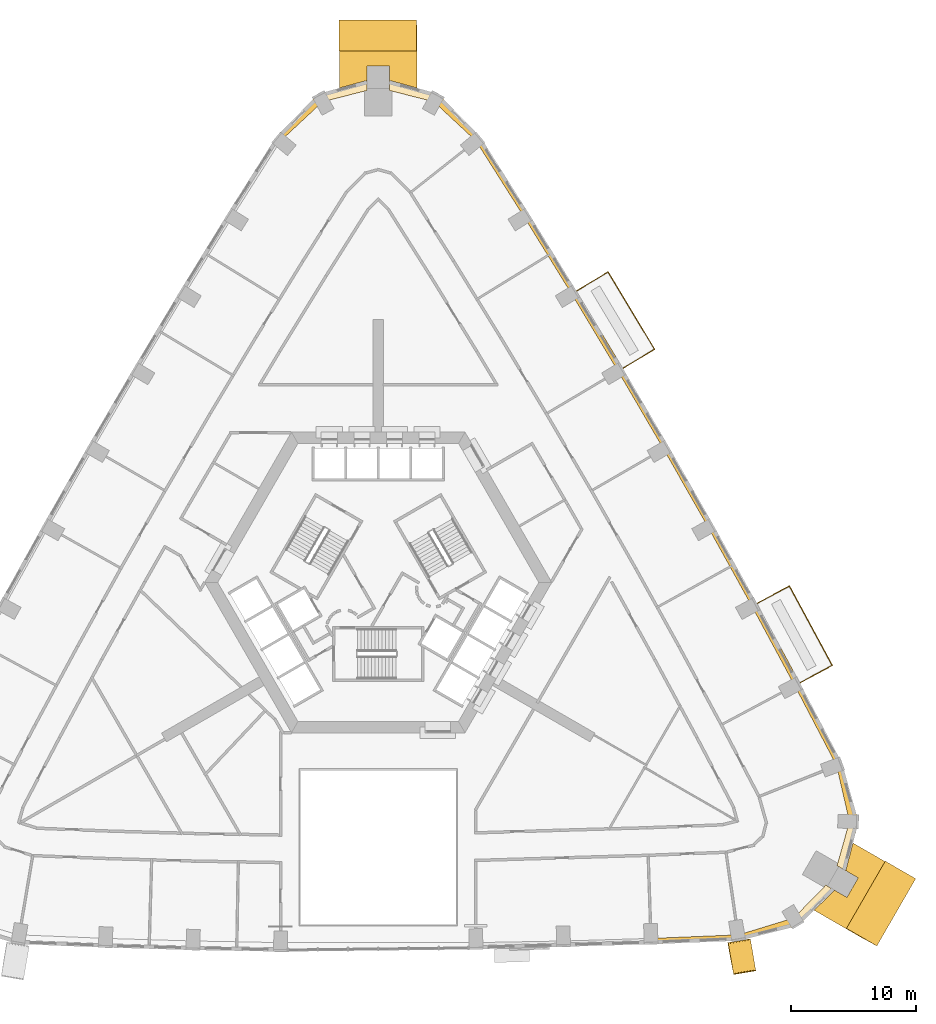
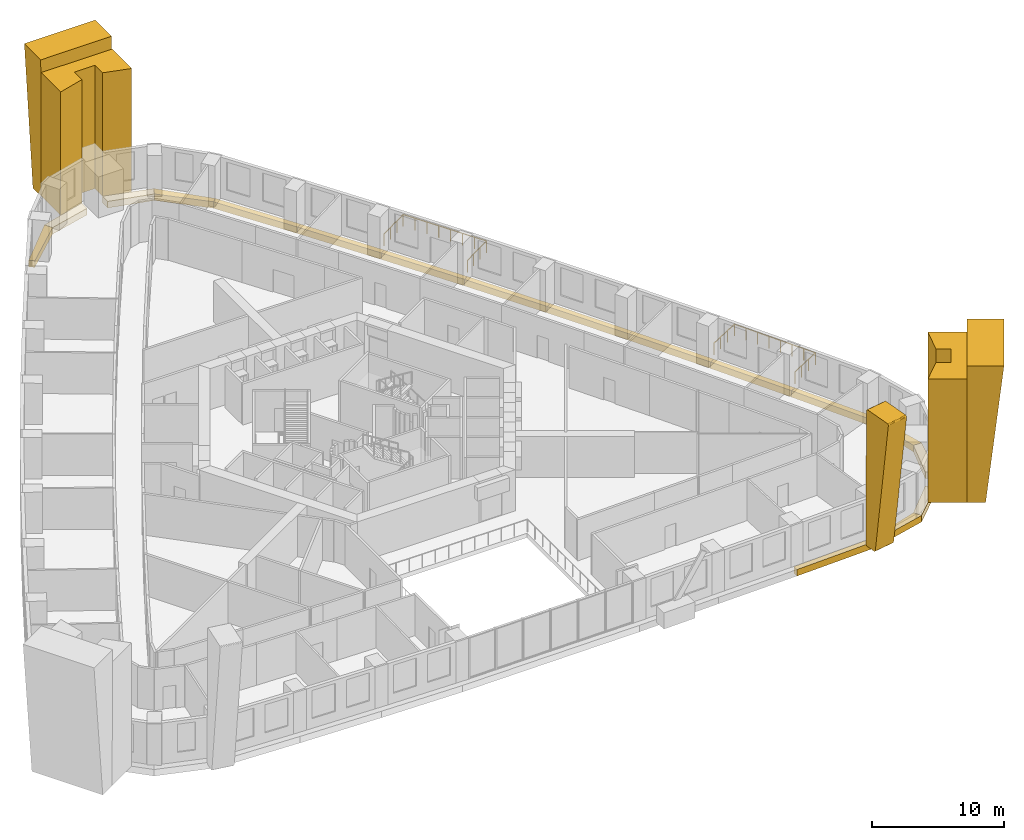
# One storey, part 15 of 15: 22 coverings, 2 railings.
"""IFC4 building model written with IfcOpenShell, lengths in metres."""

from ifc_helpers import new_model, si_unit, direction, frame, origin, origin_2d, place, context, subcontext, project, spatial, polyline, circle, outline, extrude, material, type_object, element, save


model = new_model("IFC4")

# Units and contexts
model_context = context("Model", 3, precision=1e-05, world=origin(), true_north=direction((0.0, 1.0)))
body_context = subcontext(model_context, "Body", "Model", "MODEL_VIEW")
ifc_project = project(units=[si_unit("LENGTHUNIT", "METRE"), si_unit("AREAUNIT", "SQUARE_METRE"), si_unit("VOLUMEUNIT", "CUBIC_METRE"), si_unit("PLANEANGLEUNIT", "RADIAN"), si_unit("MASSUNIT", "GRAM", prefix="KILO")], contexts=[model_context])

# Site, building, storey
site_placement = place(None, origin())
site = spatial("IfcSite", under=ifc_project, at=site_placement, CompositionType="ELEMENT")
building_placement = place(site_placement, origin())
building = spatial("IfcBuilding", under=site, at=building_placement, Name="Entoto Arch Interchange Tower", CompositionType="ELEMENT")
storey_placement = place(building_placement, frame((0.0, 0.0, 99.199951171875)))
storey = spatial("IfcBuildingStorey", under=building, at=storey_placement, Name="L21", CompositionType="ELEMENT", Elevation=99.199951171875)

# Railings
ifc_material_1 = material(Name="Stainless steel 1.4301", Category="steel")
railing_type = type_object("IfcRailingType", Name="GUARD 1100 STEEL AND GLASS", PredefinedType="GUARDRAIL", material=ifc_material_1)
railing_1_placement = place(storey_placement, frame((33.653076171875, -5.52099609375, 0.0)))
element("IfcRailing", 1, at=railing_1_placement, inside=storey, type_object=railing_type, Name="Balcony guard NE-02 L21", PredefinedType="GUARDRAIL", context=body_context, shape_type="SweptSolid", body=[
    extrude(circle(Radius=0.02392578125, at=origin_2d()), frame((0.0, 0.0, 1.076171875), z_axis=(0.879789787362, 0.475362945604, 0.0), x_axis=(-0.475362945604, 0.879789787362, 0.0)), (0.0, 0.0, 1.0), 2.949462890625),
    extrude(circle(Radius=0.02392578125, at=origin_2d()), frame((2.594970703125, 1.402099609375, 1.076171875), z_axis=(-0.475427012758, 0.879755167953, 0.0), x_axis=(-0.879755167953, -0.475427012758, 0.0)), (0.0, 0.0, 1.0), 7.2041015625),
    extrude(circle(Radius=0.02392578125, at=origin_2d()), frame((-0.830078125, 7.739990234375, 1.076171875), z_axis=(-0.879789787362, -0.475362945604, 0.0), x_axis=(0.475362945604, -0.879789787362, 0.0)), (0.0, 0.0, 1.0), 2.949462890625),
    extrude(circle(Radius=0.02099609375, at=origin_2d()), origin(), (0.0, 0.0, 1.0), 1.052001953125),
    extrude(circle(Radius=0.02099609375, at=origin_2d()), frame((0.864990234375, 0.46728515625, 0.0)), (0.0, 0.0, 1.0), 1.052001953125),
    extrude(circle(Radius=0.02099609375, at=origin_2d()), frame((1.72998046875, 0.934814453125, 0.0)), (0.0, 0.0, 1.0), 1.052001953125),
    extrude(circle(Radius=0.02099609375, at=origin_2d()), frame((2.594970703125, 1.402099609375, 0.0)), (0.0, 0.0, 1.0), 1.052001953125),
    extrude(circle(Radius=0.02099609375, at=origin_2d()), frame((2.105712890625, 2.3076171875, 0.0)), (0.0, 0.0, 1.0), 1.052001953125),
    extrude(circle(Radius=0.02099609375, at=origin_2d()), frame((1.616455078125, 3.212890625, 0.0)), (0.0, 0.0, 1.0), 1.052001953125),
    extrude(circle(Radius=0.02099609375, at=origin_2d()), frame((1.127197265625, 4.118408203125, 0.0)), (0.0, 0.0, 1.0), 1.052001953125),
    extrude(circle(Radius=0.02099609375, at=origin_2d()), frame((0.6376953125, 5.023681640625, 0.0)), (0.0, 0.0, 1.0), 1.052001953125),
    extrude(circle(Radius=0.02099609375, at=origin_2d()), frame((0.1484375, 5.92919921875, 0.0)), (0.0, 0.0, 1.0), 1.052001953125),
    extrude(circle(Radius=0.02099609375, at=origin_2d()), frame((-0.3408203125, 6.83447265625, 0.0)), (0.0, 0.0, 1.0), 1.052001953125),
    extrude(circle(Radius=0.02099609375, at=origin_2d()), frame((-0.830078125, 7.739990234375, 0.0)), (0.0, 0.0, 1.0), 1.052001953125),
    extrude(circle(Radius=0.02099609375, at=origin_2d()), frame((-1.695068359375, 7.272705078125, 0.0)), (0.0, 0.0, 1.0), 1.052001953125),
    extrude(circle(Radius=0.02099609375, at=origin_2d()), frame((-2.56005859375, 6.80517578125, 0.0)), (0.0, 0.0, 1.0), 1.052001953125),
    extrude(circle(Radius=0.02099609375, at=origin_2d()), frame((-3.425048828125, 6.337890625, 0.0)), (0.0, 0.0, 1.0), 1.052001953125),
])
railing_2_placement = place(storey_placement, frame((19.529052734375, 19.593017578125, 0.0)))
element("IfcRailing", 2, at=railing_2_placement, inside=storey, type_object=railing_type, Name="Balcony guard NE-06 L21", PredefinedType="GUARDRAIL", context=body_context, shape_type="SweptSolid", body=[
    extrude(circle(Radius=0.02392578125, at=origin_2d()), frame((0.0, 0.0, 1.076171875), z_axis=(0.857397970877, 0.514653980395, 0.0), x_axis=(-0.514653980395, 0.857397970877, 0.0)), (0.0, 0.0, 1.0), 2.94970703125),
    extrude(circle(Radius=0.02392578125, at=origin_2d()), frame((2.529052734375, 1.51806640625, 1.076171875), z_axis=(-0.514580477046, 0.857442087049, 0.0), x_axis=(-0.857442087049, -0.514580477046, 0.0)), (0.0, 0.0, 1.0), 7.2041015625),
    extrude(circle(Radius=0.02392578125, at=origin_2d()), frame((-1.177978515625, 7.695068359375, 1.076171875), z_axis=(-0.857397970877, -0.514653980395, 0.0), x_axis=(0.514653980395, -0.857397970877, 0.0)), (0.0, 0.0, 1.0), 2.94970703125),
    extrude(circle(Radius=0.02099609375, at=origin_2d()), origin(), (0.0, 0.0, 1.0), 1.052001953125),
    extrude(circle(Radius=0.02099609375, at=origin_2d()), frame((0.843017578125, 0.506103515625, 0.0)), (0.0, 0.0, 1.0), 1.052001953125),
    extrude(circle(Radius=0.02099609375, at=origin_2d()), frame((1.68603515625, 1.011962890625, 0.0)), (0.0, 0.0, 1.0), 1.052001953125),
    extrude(circle(Radius=0.02099609375, at=origin_2d()), frame((2.529052734375, 1.51806640625, 0.0)), (0.0, 0.0, 1.0), 1.052001953125),
    extrude(circle(Radius=0.02099609375, at=origin_2d()), frame((1.99951171875, 2.400390625, 0.0)), (0.0, 0.0, 1.0), 1.052001953125),
    extrude(circle(Radius=0.02099609375, at=origin_2d()), frame((1.469970703125, 3.282958984375, 0.0)), (0.0, 0.0, 1.0), 1.052001953125),
    extrude(circle(Radius=0.02099609375, at=origin_2d()), frame((0.9404296875, 4.165283203125, 0.0)), (0.0, 0.0, 1.0), 1.052001953125),
    extrude(circle(Radius=0.02099609375, at=origin_2d()), frame((0.41064453125, 5.0478515625, 0.0)), (0.0, 0.0, 1.0), 1.052001953125),
    extrude(circle(Radius=0.02099609375, at=origin_2d()), frame((-0.118896484375, 5.93017578125, 0.0)), (0.0, 0.0, 1.0), 1.052001953125),
    extrude(circle(Radius=0.02099609375, at=origin_2d()), frame((-0.6484375, 6.812744140625, 0.0)), (0.0, 0.0, 1.0), 1.052001953125),
    extrude(circle(Radius=0.02099609375, at=origin_2d()), frame((-1.177978515625, 7.695068359375, 0.0)), (0.0, 0.0, 1.0), 1.052001953125),
    extrude(circle(Radius=0.02099609375, at=origin_2d()), frame((-2.02099609375, 7.18896484375, 0.0)), (0.0, 0.0, 1.0), 1.052001953125),
    extrude(circle(Radius=0.02099609375, at=origin_2d()), frame((-2.864013671875, 6.68310546875, 0.0)), (0.0, 0.0, 1.0), 1.052001953125),
    extrude(circle(Radius=0.02099609375, at=origin_2d()), frame((-3.70703125, 6.177001953125, 0.0)), (0.0, 0.0, 1.0), 1.052001953125),
])

# Coverings
ifc_material_2 = material(Name="Board-marked precast concrete C50/60", Category="concrete")
covering_type_1 = type_object("IfcCoveringType", Name="PRECAST FRAME COURSE", PredefinedType="CLADDING", material=ifc_material_2)
covering_1_placement = place(storey_placement, frame((0.0, 0.0, -0.39990234375)))
element("IfcCovering", 3, at=covering_1_placement, inside=storey, type_object=covering_type_1, Name="Corner pilaster SE L21-L23", PredefinedType="CLADDING", context=body_context, shape_type="SweptSolid", body=[
    extrude(outline(polyline([(40.4580078125, -19.779052734375), (37.35791015625, -25.14892578125), (34.797119140625, -23.669921875), (36.423095703125, -22.069091796875), (37.41796875, -22.64306640625), (38.318115234375, -21.0849609375), (37.323974609375, -20.510009765625), (37.89697265625, -18.301025390625), (40.4580078125, -19.779052734375)])), origin(), (0.0, 0.0, 1.0), 11.39990234375),
])
covering_2_placement = place(storey_placement, frame((0.0, 0.0, -0.39990234375)))
element("IfcCovering", 4, at=covering_2_placement, inside=storey, type_object=covering_type_1, Name="Corner pilaster N L21-L23", PredefinedType="CLADDING", context=body_context, shape_type="SweptSolid", body=[
    extrude(outline(polyline([(-3.10009765625, 44.927001953125), (3.10009765625, 44.927001953125), (3.10009765625, 41.969970703125), (0.89990234375, 42.577880859375), (0.89990234375, 43.72705078125), (-0.89990234375, 43.72705078125), (-0.89990234375, 42.577880859375), (-3.10009765625, 41.969970703125), (-3.10009765625, 44.927001953125)])), origin(), (0.0, 0.0, 1.0), 11.39990234375),
])
covering_3_placement = place(storey_placement, frame((37.35791015625, -25.14892578125, -0.39990234375), z_axis=(-0.500029299394, -0.866003262586, 0.003008145309), x_axis=(0.866007181338, -0.500031560875, 3.45991e-07)))
element("IfcCovering", 5, at=covering_3_placement, inside=storey, type_object=covering_type_1, Name="Corner rib SE L21-L23", PredefinedType="CLADDING", context=body_context, shape_type="SweptSolid", body=[
    extrude(outline(polyline([(0.0, 0.0), (1.4123015753303987, 0.0), (2.8037560615664616, 12.599909553582325), (1.517472310042619e-05, 12.599911012300858), (0.0, 0.0)])), origin(), (0.0, 0.0, -1.0), 6.199951171875),
])
covering_4_placement = place(storey_placement, frame((3.10009765625, 44.927001953125, -0.39990234375), z_axis=(0.999995431587, 0.0, 0.003022714785), x_axis=(0.0, 1.0, 0.0)))
element("IfcCovering", 6, at=covering_4_placement, inside=storey, type_object=covering_type_1, Name="Corner rib N L21-L23", PredefinedType="CLADDING", context=body_context, shape_type="SweptSolid", body=[
    extrude(outline(polyline([(0.0, 0.0), (1.2470703125, 0.0), (2.473876953125, 12.59991107721967), (0.0, 12.59991107721967), (0.0, 0.0)])), origin(), (0.0, 0.0, -1.0), 6.199951171875),
])
covering_5_placement = place(storey_placement, frame((27.922119140625, -26.39990234375, -0.39990234375), z_axis=(-0.985768550955, -0.168081544948, 0.002993024691), x_axis=(-0.166952565883, 0.980920935008, 0.09960401602)))
element("IfcCovering", 7, at=covering_5_placement, inside=storey, type_object=covering_type_1, Name="Fold rib S08 L21-L23", PredefinedType="CLADDING", context=body_context, shape_type="SweptSolid", body=[
    extrude(outline(polyline([(0.0, 0.0), (0.029406719337591595, 4.336808689942018e-19), (0.057606965341560956, -0.005273183824055138), (0.08507113566481618, -0.016510237353488867), (0.10941297145326093, -0.03321126926437942), (0.1306688486158652, -0.054147411136805816), (0.1465289513335611, -0.07881413865282905), (0.15832503109067766, -0.10560599909729362), (0.16425563152769945, -0.13420871979671328), (1.3889419702829935, -12.373193784693797), (1.3889619475013306, -12.402388105391081), (1.3835051229026896, -12.430907067189786), (1.372130492993418, -12.458297934492387), (1.3460589468540607, -12.494031825346463), (1.3110416237278184, -12.520602579442832), (1.2836106743583588, -12.531443460525821), (1.2545888495557673, -12.53729271662684), (-1.038804179832931, -12.766868170892003), (-1.0684503818206712, -12.76689202021168), (-1.0974663453219813, -12.760718682536192), (-1.1251699982953849, -12.749505478326432), (-1.1492723514336813, -12.732780597095866), (-1.170726951342654, -12.7118635004617), (-1.1930638671723661, -12.672879327136743), (-1.200910328810576, -12.644467400994722), (-1.2027803971618758, -12.614472956718725), (-0.9383210951260844, -0.21243801061312345), (-0.9270693729410953, -0.17009022777697305), (-0.9123982952306281, -0.1445754773047289), (-0.8942656247844308, -0.12264229699996079), (-0.8588707895573653, -0.0970145913129617), (-0.8184934398822427, -0.08291344777070672), (0.0, 0.0)])), origin(), (0.0, 0.0, -1.0), 1.800048828125),
])
covering_type_2 = type_object("IfcCoveringType", Name="PRECAST LEDGE COURSE", PredefinedType="CLADDING", material=ifc_material_2)
covering_6_placement = place(storey_placement, frame((0.0, 0.0, -1.0)))
element("IfcCovering", 8, at=covering_6_placement, inside=storey, type_object=covering_type_2, Name="Precast course S-07 L21", PredefinedType="CLADDING", context=body_context, shape_type="SweptSolid", body=[
    extrude(outline(polyline([(28.783935546875, -25.626953125), (28.783935546875, -26.10107421875), (21.7890625, -26.3779296875), (21.7890625, -25.9140625), (28.783935546875, -25.626953125)])), origin(), (0.0, 0.0, 1.0), 0.60009765625),
])
covering_7_placement = place(storey_placement, frame((0.0, 0.0, -1.0)))
element("IfcCovering", 9, at=covering_7_placement, inside=storey, type_object=covering_type_2, Name="Precast course SE-01 L21", PredefinedType="CLADDING", context=body_context, shape_type="SweptSolid", body=[
    extrude(outline(polyline([(33.1708984375, -24.284912109375), (33.5458984375, -24.90087890625), (28.783935546875, -26.10107421875), (28.783935546875, -25.626953125), (33.1708984375, -24.284912109375)])), origin(), (0.0, 0.0, 1.0), 0.60009765625),
])
covering_8_placement = place(storey_placement, frame((0.0, 0.0, -1.0)))
element("IfcCovering", 10, at=covering_8_placement, inside=storey, type_object=covering_type_2, Name="Precast course SE-02 L21", PredefinedType="CLADDING", context=body_context, shape_type="SweptSolid", body=[
    extrude(outline(polyline([(35.72802734375, -21.6669921875), (36.423095703125, -22.069091796875), (33.5458984375, -24.90087890625), (33.1708984375, -24.284912109375), (35.72802734375, -21.6669921875)])), origin(), (0.0, 0.0, 1.0), 0.60009765625),
])
covering_9_placement = place(storey_placement, frame((0.0, 0.0, -1.0)))
element("IfcCovering", 11, at=covering_9_placement, inside=storey, type_object=covering_type_2, Name="Precast course SE-03 L21", PredefinedType="CLADDING", context=body_context, shape_type="SweptSolid", body=[
    extrude(outline(polyline([(37.616943359375, -16.5849609375), (38.337890625, -16.60205078125), (37.323974609375, -20.510009765625), (36.6279296875, -20.10888671875), (37.616943359375, -16.5849609375)])), origin(), (0.0, 0.0, 1.0), 0.60009765625),
])
covering_10_placement = place(storey_placement, frame((0.0, 0.0, -1.0)))
element("IfcCovering", 12, at=covering_10_placement, inside=storey, type_object=covering_type_2, Name="Precast course SE-04 L21", PredefinedType="CLADDING", context=body_context, shape_type="SweptSolid", body=[
    extrude(outline(polyline([(36.5849609375, -12.114013671875), (37.031982421875, -11.947998046875), (38.337890625, -16.60205078125), (37.616943359375, -16.5849609375), (36.5849609375, -12.114013671875)])), origin(), (0.0, 0.0, 1.0), 0.60009765625),
])
covering_11_placement = place(storey_placement, frame((0.0, 0.0, -1.0)))
element("IfcCovering", 13, at=covering_11_placement, inside=storey, type_object=covering_type_2, Name="Precast course NE-01 L21", PredefinedType="CLADDING", context=body_context, shape_type="SweptSolid", body=[
    extrude(outline(polyline([(33.243896484375, -5.738037109375), (33.653076171875, -5.52099609375), (37.031982421875, -11.947998046875), (36.5849609375, -12.114013671875), (33.243896484375, -5.738037109375)])), origin(), (0.0, 0.0, 1.0), 0.60009765625),
])
covering_12_placement = place(storey_placement, frame((0.0, 0.0, -1.0)))
element("IfcCovering", 14, at=covering_12_placement, inside=storey, type_object=covering_type_2, Name="Precast course NE-02 L21", PredefinedType="CLADDING", context=body_context, shape_type="SweptSolid", body=[
    extrude(outline(polyline([(29.8291015625, 0.59912109375), (30.22802734375, 0.81689453125), (33.653076171875, -5.52099609375), (33.243896484375, -5.738037109375), (29.8291015625, 0.59912109375)])), origin(), (0.0, 0.0, 1.0), 0.60009765625),
])
covering_13_placement = place(storey_placement, frame((0.0, 0.0, -1.0)))
element("IfcCovering", 15, at=covering_13_placement, inside=storey, type_object=covering_type_2, Name="Precast course NE-03 L21", PredefinedType="CLADDING", context=body_context, shape_type="SweptSolid", body=[
    extrude(outline(polyline([(26.339111328125, 6.89501953125), (26.73291015625, 7.115966796875), (30.22802734375, 0.81689453125), (29.8291015625, 0.59912109375), (26.339111328125, 6.89501953125)])), origin(), (0.0, 0.0, 1.0), 0.60009765625),
])
covering_14_placement = place(storey_placement, frame((0.0, 0.0, -1.0)))
element("IfcCovering", 16, at=covering_14_placement, inside=storey, type_object=covering_type_2, Name="Precast course NE-04 L21", PredefinedType="CLADDING", context=body_context, shape_type="SweptSolid", body=[
    extrude(outline(polyline([(22.77587890625, 13.14990234375), (23.166015625, 13.375), (26.73291015625, 7.115966796875), (26.339111328125, 6.89501953125), (22.77587890625, 13.14990234375)])), origin(), (0.0, 0.0, 1.0), 0.60009765625),
])
covering_15_placement = place(storey_placement, frame((0.0, 0.0, -1.0)))
element("IfcCovering", 17, at=covering_15_placement, inside=storey, type_object=covering_type_2, Name="Precast course NE-05 L21", PredefinedType="CLADDING", context=body_context, shape_type="SweptSolid", body=[
    extrude(outline(polyline([(19.14111328125, 19.363037109375), (19.529052734375, 19.593017578125), (23.166015625, 13.375), (22.77587890625, 13.14990234375), (19.14111328125, 19.363037109375)])), origin(), (0.0, 0.0, 1.0), 0.60009765625),
])
covering_16_placement = place(storey_placement, frame((0.0, 0.0, -1.0)))
element("IfcCovering", 18, at=covering_16_placement, inside=storey, type_object=covering_type_2, Name="Precast course NE-06 L21", PredefinedType="CLADDING", context=body_context, shape_type="SweptSolid", body=[
    extrude(outline(polyline([(15.43310546875, 25.532958984375), (15.822021484375, 25.77001953125), (19.529052734375, 19.593017578125), (19.14111328125, 19.363037109375), (15.43310546875, 25.532958984375)])), origin(), (0.0, 0.0, 1.0), 0.60009765625),
])
covering_17_placement = place(storey_placement, frame((0.0, 0.0, -1.0)))
element("IfcCovering", 19, at=covering_17_placement, inside=storey, type_object=covering_type_2, Name="Precast course NE-07 L21", PredefinedType="CLADDING", context=body_context, shape_type="SweptSolid", body=[
    extrude(outline(polyline([(11.653076171875, 31.658935546875), (12.0458984375, 31.905029296875), (15.822021484375, 25.77001953125), (15.43310546875, 25.532958984375), (11.653076171875, 31.658935546875)])), origin(), (0.0, 0.0, 1.0), 0.60009765625),
])
covering_18_placement = place(storey_placement, frame((0.0, 0.0, -1.0)))
element("IfcCovering", 20, at=covering_18_placement, inside=storey, type_object=covering_type_2, Name="Precast course NE-08 L21", PredefinedType="CLADDING", context=body_context, shape_type="SweptSolid", body=[
    extrude(outline(polyline([(7.802001953125, 37.740966796875), (8.1689453125, 38.044921875), (12.0458984375, 31.905029296875), (11.653076171875, 31.658935546875), (7.802001953125, 37.740966796875)])), origin(), (0.0, 0.0, 1.0), 0.60009765625),
])
covering_19_placement = place(storey_placement, frame((0.0, 0.0, -1.0)))
element("IfcCovering", 21, at=covering_19_placement, inside=storey, type_object=covering_type_2, Name="Precast course N-01 L21", PredefinedType="CLADDING", context=body_context, shape_type="SweptSolid", body=[
    extrude(outline(polyline([(4.446044921875, 40.868896484375), (4.7919921875, 41.501953125), (8.1689453125, 38.044921875), (7.802001953125, 37.740966796875), (4.446044921875, 40.868896484375)])), origin(), (0.0, 0.0, 1.0), 0.60009765625),
])
covering_20_placement = place(storey_placement, frame((0.0, 0.0, -1.0)))
element("IfcCovering", 22, at=covering_20_placement, inside=storey, type_object=covering_type_2, Name="Precast course N-02 L21", PredefinedType="CLADDING", context=body_context, shape_type="SweptSolid", body=[
    extrude(outline(polyline([(0.89990234375, 41.77490234375), (0.89990234375, 42.577880859375), (4.7919921875, 41.501953125), (4.446044921875, 40.868896484375), (0.89990234375, 41.77490234375)])), origin(), (0.0, 0.0, 1.0), 0.60009765625),
])
covering_21_placement = place(storey_placement, frame((0.0, 0.0, -1.0)))
element("IfcCovering", 23, at=covering_21_placement, inside=storey, type_object=covering_type_2, Name="Precast course N-03 L21", PredefinedType="CLADDING", context=body_context, shape_type="SweptSolid", body=[
    extrude(outline(polyline([(-4.446044921875, 40.868896484375), (-4.7919921875, 41.501953125), (-0.89990234375, 42.577880859375), (-0.89990234375, 41.77490234375), (-4.446044921875, 40.868896484375)])), origin(), (0.0, 0.0, 1.0), 0.60009765625),
])
covering_22_placement = place(storey_placement, frame((0.0, 0.0, -1.0)))
element("IfcCovering", 24, at=covering_22_placement, inside=storey, type_object=covering_type_2, Name="Precast course N-04 L21", PredefinedType="CLADDING", context=body_context, shape_type="SweptSolid", body=[
    extrude(outline(polyline([(-7.802001953125, 37.740966796875), (-8.1689453125, 38.044921875), (-4.7919921875, 41.501953125), (-4.446044921875, 40.868896484375), (-7.802001953125, 37.740966796875)])), origin(), (0.0, 0.0, 1.0), 0.60009765625),
])

save(model, "model.ifc")
